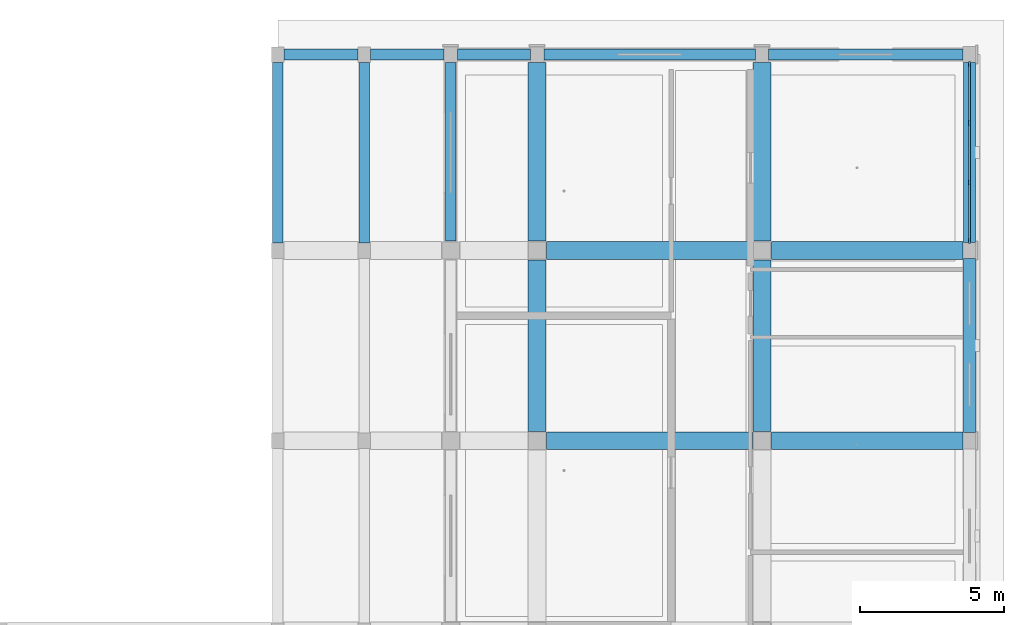
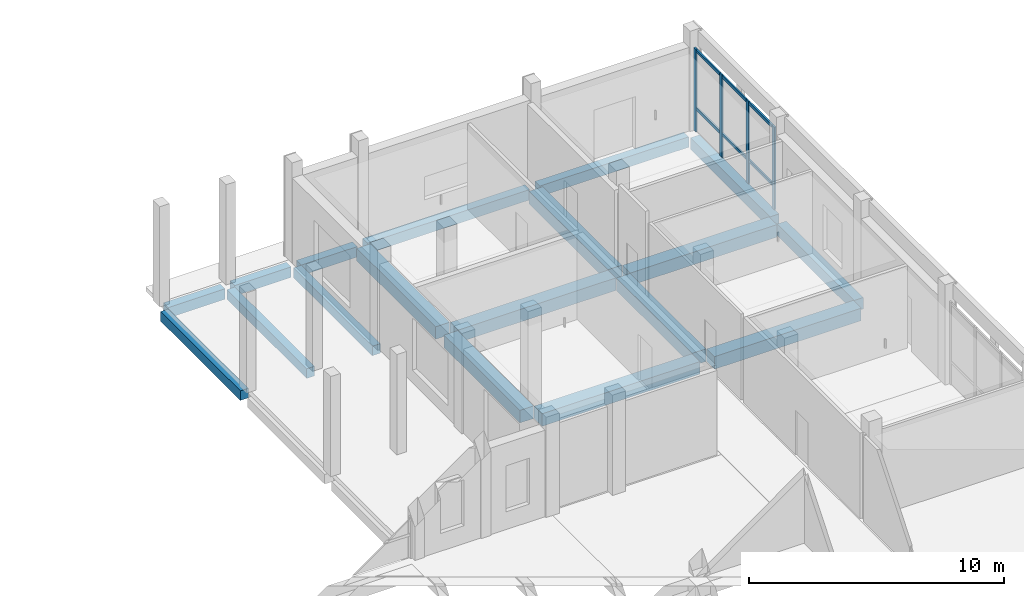
# One storey, part 39 of 88: 18 beams, 6 members, 1 element without a shape of its own.
"""IFC4 building model written with IfcOpenShell, lengths in metres."""

import ifcopenshell
import ifcopenshell.guid

model = None  # the IFC model being written
_history = None  # IfcOwnerHistory: only IFC2X3 demands one
_inside = {}  # id of a spatial element -> (the spatial element, [elements in it])
_under = {}  # id of a project, library or spatial element -> (it, [spatial elements below it])
_declared = {}  # id of a project -> (the project, [libraries it declares])
_typed = {}  # id of a type object -> (the type object, [elements of that type])
_made_of = {}  # id of a material, layer set ... -> (it, [elements and type objects made of it])


def new_model(schema):
    """Start an empty IFC model of exactly this schema.

    Asked for "IFC4X3", IfcOpenShell would pick the latest addendum, in which some entities
    have other attributes; the version numbers below select the first issue.
    IFC2X3 requires an IfcOwnerHistory on every rooted entity: one is made here for all.
    """
    global model, _history
    if schema == "IFC4X3":
        model = ifcopenshell.file(schema_version=(4, 3, 0, 0))
    else:
        model = ifcopenshell.file(schema=schema)
    _inside.clear()
    _under.clear()
    _declared.clear()
    _typed.clear()
    _made_of.clear()
    _history = None
    if model.schema == "IFC2X3":
        org = make("IfcOrganization", Name="unknown")
        user = make(
            "IfcPersonAndOrganization",
            ThePerson=make("IfcPerson", FamilyName="unknown"),
            TheOrganization=org,
        )
        app = make(
            "IfcApplication",
            ApplicationDeveloper=org,
            Version="unknown",
            ApplicationFullName="unknown",
            ApplicationIdentifier="unknown",
        )
        _history = make(
            "IfcOwnerHistory",
            OwningUser=user,
            OwningApplication=app,
            ChangeAction="ADDED",
            CreationDate=0,
        )
    return model


def make(cls, **values):
    """One entity of the class cls with the attributes given. An attribute that is None is left unset."""
    return model.create_entity(
        cls, **{name: value for name, value in values.items() if value is not None}
    )


def rooted(cls, **values):
    """An entity with a GlobalId (a new one), such as an element, a storey or a relation."""
    return make(cls, GlobalId=ifcopenshell.guid.new(), OwnerHistory=_history, **values)


def si_unit(unit_type, name, prefix=None):
    """IfcSIUnit, for example si_unit("LENGTHUNIT", "METRE", prefix="MILLI")."""
    return make("IfcSIUnit", UnitType=unit_type, Prefix=prefix, Name=name)


def derived_unit(unit_type, elements):
    """IfcDerivedUnit: a product of units, each with its exponent."""
    return make(
        "IfcDerivedUnit",
        Elements=[
            make("IfcDerivedUnitElement", Unit=unit, Exponent=power)
            for unit, power in elements
        ],
        UnitType=unit_type,
    )


def assignment(units):
    """IfcUnitAssignment: the units of a project."""
    return None if units is None else make("IfcUnitAssignment", Units=units)


def point(xyz):
    """IfcCartesianPoint."""
    return None if xyz is None else make("IfcCartesianPoint", Coordinates=xyz)


def direction(xyz):
    """IfcDirection."""
    return None if xyz is None else make("IfcDirection", DirectionRatios=xyz)


def frame(location, z_axis=None, x_axis=None):
    """IfcAxis2Placement3D, a coordinate frame: its origin and axes. An axis left out is left unset."""
    return make(
        "IfcAxis2Placement3D",
        Location=point(location),
        Axis=direction(z_axis),
        RefDirection=direction(x_axis),
    )


def frame_2d(location, x_axis=None):
    """IfcAxis2Placement2D, a coordinate frame in the plane: its origin and x axis."""
    return make(
        "IfcAxis2Placement2D", Location=point(location), RefDirection=direction(x_axis)
    )


def origin():
    """The frame at (0, 0, 0) with its axes left unset."""
    return frame((0.0, 0.0, 0.0))


def origin_2d():
    """The frame at (0, 0) in the plane with its x axis left unset."""
    return frame_2d((0.0, 0.0))


def place(relative_to, where):
    """IfcLocalPlacement: puts the frame where relative to a parent placement (None: the world)."""
    return make(
        "IfcLocalPlacement", PlacementRelTo=relative_to, RelativePlacement=where
    )


def context(
    kind, dimensions, precision=None, world=None, true_north=None, identifier=None
):
    """IfcGeometricRepresentationContext, for example the 3D "Model" context."""
    return make(
        "IfcGeometricRepresentationContext",
        ContextIdentifier=identifier,
        ContextType=kind,
        CoordinateSpaceDimension=dimensions,
        Precision=precision,
        WorldCoordinateSystem=world,
        TrueNorth=true_north,
    )


def subcontext(parent, identifier, kind, view, scale=None):
    """IfcGeometricRepresentationSubContext, for example "Body" below "Model"."""
    return make(
        "IfcGeometricRepresentationSubContext",
        ContextIdentifier=identifier,
        ContextType=kind,
        ParentContext=parent,
        TargetScale=scale,
        TargetView=view,
    )


def project(units=None, contexts=None):
    """IfcProject with its units and contexts."""
    return rooted(
        "IfcProject",
        Name="project",
        RepresentationContexts=contexts,
        UnitsInContext=assignment(units),
    )


def spatial(cls, under=None, at=None, **own):
    """A site, building, storey or space (cls), placed at a placement, below another one or the project."""
    s = rooted(cls, ObjectPlacement=at, **own)
    if under is not None:
        _under.setdefault(under.id(), (under, []))[1].append(s)
    return s


def profile(cls, at=None, kind="AREA", **sizes):
    """A parametric profile (cls). Its sizes go by their IFC names, for example OverallWidth=200.0."""
    return make(cls, ProfileType=kind, Position=at, **sizes)


def rectangle(**sizes):
    """IfcRectangleProfileDef."""
    return profile("IfcRectangleProfileDef", **sizes)


def extrude(swept, where, along, depth):
    """IfcExtrudedAreaSolid: the profile swept, set in the frame where, extruded along a direction by depth."""
    return make(
        "IfcExtrudedAreaSolid",
        SweptArea=swept,
        Position=where,
        ExtrudedDirection=direction(along),
        Depth=depth,
    )


def shape(context_of_items, identifier, shape_type, items):
    """IfcShapeRepresentation: the items that make up one representation, for example the "Body"."""
    return make(
        "IfcShapeRepresentation",
        ContextOfItems=context_of_items,
        RepresentationIdentifier=identifier,
        RepresentationType=shape_type,
        Items=items,
    )


def material(Name=None, Category=None):
    """IfcMaterial."""
    return make("IfcMaterial", Name=Name, Category=Category)


def material_profile(
    of_material, cross_section, Name=None, Category=None, Priority=None
):
    """IfcMaterialProfile: a cross section and its material."""
    return make(
        "IfcMaterialProfile",
        Name=Name,
        Material=of_material,
        Profile=cross_section,
        Priority=Priority,
        Category=Category,
    )


def profile_set(profiles, Name=None, composite=None):
    """IfcMaterialProfileSet."""
    return make(
        "IfcMaterialProfileSet",
        Name=Name,
        MaterialProfiles=profiles,
        CompositeProfile=composite,
    )


def made_of(thing, what):
    """Note that an element or type object is made of a material, layer set ...; save() writes the relation."""
    if what is not None:
        _made_of.setdefault(what.id(), (what, []))[1].append(thing)
    return thing


def type_object(cls, material=None, **own):
    """A type object (cls), such as IfcWallType, which elements share."""
    return made_of(rooted(cls, **own), material)


def element(
    cls,
    number,
    at=None,
    inside=None,
    cuts=None,
    type_object=None,
    material=None,
    context=None,
    identifier="Body",
    shape_type=None,
    held_by="IfcProductDefinitionShape",
    body=None,
    shapes=None,
    **own,
):
    """One element of the class cls, such as IfcWall. Its Tag is "e" and its number.

    at: its placement. inside: the storey or other place that contains it. cuts: it is an
    opening in that element (IfcRelVoidsElement). A single representation is given by context,
    identifier, shape_type and body (its items); several are given by shapes. held_by: the class
    of the entity that holds the representations. save() writes the other relations.
    """
    e = rooted(cls, Tag="e%d" % number, ObjectPlacement=at, **own)
    if body is not None:
        shapes = [shape(context, identifier, shape_type, body)]
    if shapes is not None:
        e.Representation = make(held_by, Representations=shapes)
    if inside is not None:
        _inside.setdefault(inside.id(), (inside, []))[1].append(e)
    if cuts is not None:
        rooted(
            "IfcRelVoidsElement", RelatingBuildingElement=cuts, RelatedOpeningElement=e
        )
    if type_object is not None:
        _typed.setdefault(type_object.id(), (type_object, []))[1].append(e)
    return made_of(e, material)


def aggregate(whole, parts):
    """IfcRelAggregates: a whole, such as a stair, and the parts it consists of."""
    return rooted("IfcRelAggregates", RelatingObject=whole, RelatedObjects=parts)


def save(model, path):
    """Write the relations noted so far, then the file.

    IfcRelAggregates (storeys below a building ...), IfcRelContainedInSpatialStructure (elements
    in a storey), IfcRelDefinesByType, IfcRelAssociatesMaterial and IfcRelDeclares: one each for
    every whole, place, type object, material and project.
    """
    for whole, parts in _under.values():
        aggregate(whole, parts)
    for where, things in _inside.values():
        rooted(
            "IfcRelContainedInSpatialStructure",
            RelatedElements=things,
            RelatingStructure=where,
        )
    for kind, things in _typed.values():
        rooted("IfcRelDefinesByType", RelatedObjects=things, RelatingType=kind)
    for what, things in _made_of.values():
        rooted("IfcRelAssociatesMaterial", RelatedObjects=things, RelatingMaterial=what)
    for by, libraries in _declared.values():
        rooted("IfcRelDeclares", RelatingContext=by, RelatedDefinitions=libraries)
    model.write(path)


model = new_model("IFC4")

# Units and contexts
model_context = context("Model", 3, precision=1e-05, world=origin(), true_north=direction((0.0, 1.0)))
body_context = subcontext(model_context, "Body", "Model", "MODEL_VIEW")
ifc_project = project(units=[si_unit("LENGTHUNIT", "METRE"), si_unit("AREAUNIT", "SQUARE_METRE"), si_unit("VOLUMEUNIT", "CUBIC_METRE"), si_unit("PLANEANGLEUNIT", "RADIAN"), si_unit("MASSUNIT", "GRAM", prefix="KILO"), derived_unit("THERMALTRANSMITTANCEUNIT", [(si_unit("POWERUNIT", "WATT"), 1), (si_unit("LENGTHUNIT", "METRE"), -2), (si_unit("THERMODYNAMICTEMPERATUREUNIT", "KELVIN"), -1)])], contexts=[model_context])

# Site, building, storey
site_placement = place(None, origin())
site = spatial("IfcSite", under=ifc_project, at=site_placement, CompositionType="ELEMENT")
building_placement = place(site_placement, origin())
building = spatial("IfcBuilding", under=site, at=building_placement, Name="Braskholm Square Health Centre", CompositionType="ELEMENT")
storey_placement = place(building_placement, origin())
storey = spatial("IfcBuildingStorey", under=building, at=storey_placement, Name="L01", CompositionType="ELEMENT", Elevation=0.0)

# Curtain wall, members
ifc_material_1 = material(Name="Low-E triple insulating glass (VLT 0.64)", Category="glass")
curtain_wall_type = type_object("IfcCurtainWallType", Name="UnitisedCurtainWall6200x4100", PredefinedType="NOTDEFINED", material=ifc_material_1)
curtain_wall_placement = place(storey_placement, origin())
curtain_wall = element("IfcCurtainWall", 1, at=curtain_wall_placement, inside=storey, type_object=curtain_wall_type, Name="East Storefront unitised curtain wall CW-L01-0051", PredefinedType="NOTDEFINED")
ifc_material_2 = material(Name="Architectural bronze anodised aluminium", Category="aluminium")
ifc_material_profile_1 = material_profile(ifc_material_2, rectangle(XDim=0.074951171875, YDim=0.179931640625, at=origin_2d()), Name="ALU-75X180")
ifc_profile_set_1 = profile_set([ifc_material_profile_1], Name="Architectural bronze anodised aluminium")
member_type_1 = type_object("IfcMemberType", Name="CurtainWallMullion75x180", PredefinedType="MULLION", material=ifc_profile_set_1)
member_1_placement = place(storey_placement, frame((163.800048828125, 107.327392578125, 0.0), z_axis=(0.0, 0.0, 1.0), x_axis=(1.0, 0.0, 0.0)))
member_1 = element("IfcMember", 2, at=member_1_placement, type_object=member_type_1, Name="CW-L01-0051 vertical mullion 1", PredefinedType="MULLION", context=body_context, shape_type="SweptSolid", body=[
    extrude(rectangle(XDim=0.074951171875, YDim=0.179931640625, at=origin_2d()), origin(), (0.0, 0.0, 1.0), 3.949951171875),
])
member_2_placement = place(storey_placement, frame((163.800048828125, 109.36328125, 0.0), z_axis=(0.0, 0.0, 1.0), x_axis=(1.0, 0.0, 0.0)))
member_2 = element("IfcMember", 3, at=member_2_placement, type_object=member_type_1, Name="CW-L01-0051 vertical mullion 2", PredefinedType="MULLION", context=body_context, shape_type="SweptSolid", body=[
    extrude(rectangle(XDim=0.074951171875, YDim=0.179931640625, at=origin_2d()), origin(), (0.0, 0.0, 1.0), 3.949951171875),
])
member_3_placement = place(storey_placement, frame((163.800048828125, 111.436767578125, 0.0), z_axis=(0.0, 0.0, 1.0), x_axis=(1.0, 0.0, 0.0)))
member_3 = element("IfcMember", 4, at=member_3_placement, type_object=member_type_1, Name="CW-L01-0051 vertical mullion 3", PredefinedType="MULLION", context=body_context, shape_type="SweptSolid", body=[
    extrude(rectangle(XDim=0.074951171875, YDim=0.179931640625, at=origin_2d()), origin(), (0.0, 0.0, 1.0), 3.949951171875),
])
member_4_placement = place(storey_placement, frame((163.800048828125, 113.47265625, 0.0), z_axis=(0.0, 0.0, 1.0), x_axis=(1.0, 0.0, 0.0)))
member_4 = element("IfcMember", 5, at=member_4_placement, type_object=member_type_1, Name="CW-L01-0051 vertical mullion 4", PredefinedType="MULLION", context=body_context, shape_type="SweptSolid", body=[
    extrude(rectangle(XDim=0.074951171875, YDim=0.179931640625, at=origin_2d()), origin(), (0.0, 0.0, 1.0), 3.949951171875),
])
ifc_material_profile_2 = material_profile(ifc_material_2, rectangle(XDim=0.074951171875, YDim=0.139892578125, at=origin_2d()), Name="ALU-75X140")
ifc_profile_set_2 = profile_set([ifc_material_profile_2], Name="Architectural bronze anodised aluminium")
member_type_2 = type_object("IfcMemberType", Name="CurtainWallTransom75x140", PredefinedType="USERDEFINED", material=ifc_profile_set_2)
member_5_placement = place(storey_placement, frame((163.800048828125, 107.3349609375, 1.1201171875), z_axis=(0.0, 1.0, 0.0), x_axis=(-1.0, 0.0, 0.0)))
member_5 = element("IfcMember", 6, at=member_5_placement, type_object=member_type_2, Name="CW-L01-0051 horizontal transom 1", ObjectType="TRANSOM", PredefinedType="USERDEFINED", context=body_context, shape_type="SweptSolid", body=[
    extrude(rectangle(XDim=0.074951171875, YDim=0.139892578125, at=origin_2d()), origin(), (0.0, 0.0, 1.0), 6.130126953125),
])
member_6_placement = place(storey_placement, frame((163.800048828125, 107.3349609375, 3.8798828125), z_axis=(0.0, 1.0, 0.0), x_axis=(-1.0, 0.0, 0.0)))
member_6 = element("IfcMember", 7, at=member_6_placement, type_object=member_type_2, Name="CW-L01-0051 horizontal transom 2", ObjectType="TRANSOM", PredefinedType="USERDEFINED", context=body_context, shape_type="SweptSolid", body=[
    extrude(rectangle(XDim=0.074951171875, YDim=0.139892578125, at=origin_2d()), origin(), (0.0, 0.0, 1.0), 6.130126953125),
])
aggregate(curtain_wall, [member_1, member_2, member_3, member_4, member_5, member_6])

# Beams
ifc_material_3 = material(Name="Concrete C40/50 (f'c = 40 MPa)", Category="concrete")
ifc_material_profile_3 = material_profile(ifc_material_3, rectangle(XDim=0.6201171875, YDim=0.60009765625, at=origin_2d()), Name="RCB-620X600")
ifc_profile_set_3 = profile_set([ifc_material_profile_3], Name="Concrete C40/50 (f'c = 40 MPa)")
beam_type_1 = type_object("IfcBeamType", Name="PrimarySubstructureBeam620x600", PredefinedType="BEAM", material=ifc_profile_set_3)
beam_1_placement = place(storey_placement, frame((148.800048828125, 100.72509765625, -0.60009765625), z_axis=(0.0, 1.0, 0.0), x_axis=(-1.0, 0.0, 0.0)))
element("IfcBeam", 8, at=beam_1_placement, inside=storey, type_object=beam_type_1, Name="Beam 20/Q-R L01", PredefinedType="BEAM", context=body_context, shape_type="SweptSolid", body=[
    extrude(rectangle(XDim=0.6201171875, YDim=0.60009765625, at=origin_2d()), origin(), (0.0, 0.0, 1.0), 5.949951171875),
])
beam_2_placement = place(storey_placement, frame((148.800048828125, 107.324951171875, -0.60009765625), z_axis=(0.0, 1.0, 0.0), x_axis=(-1.0, 0.0, 0.0)))
element("IfcBeam", 9, at=beam_2_placement, inside=storey, type_object=beam_type_1, Name="Beam 20/R-S L01", PredefinedType="BEAM", context=body_context, shape_type="SweptSolid", body=[
    extrude(rectangle(XDim=0.6201171875, YDim=0.60009765625, at=origin_2d()), origin(), (0.0, 0.0, 1.0), 6.195068359375),
])
beam_3_placement = place(storey_placement, frame((156.60009765625, 100.72509765625, -0.60009765625), z_axis=(0.0, 1.0, 0.0), x_axis=(-1.0, 0.0, 0.0)))
element("IfcBeam", 10, at=beam_3_placement, inside=storey, type_object=beam_type_1, Name="Beam 21/Q-R L01", PredefinedType="BEAM", context=body_context, shape_type="SweptSolid", body=[
    extrude(rectangle(XDim=0.6201171875, YDim=0.60009765625, at=origin_2d()), origin(), (0.0, 0.0, 1.0), 5.949951171875),
])
beam_4_placement = place(storey_placement, frame((156.60009765625, 107.324951171875, -0.60009765625), z_axis=(0.0, 1.0, 0.0), x_axis=(-1.0, 0.0, 0.0)))
element("IfcBeam", 11, at=beam_4_placement, inside=storey, type_object=beam_type_1, Name="Beam 21/R-S L01", PredefinedType="BEAM", context=body_context, shape_type="SweptSolid", body=[
    extrude(rectangle(XDim=0.6201171875, YDim=0.60009765625, at=origin_2d()), origin(), (0.0, 0.0, 1.0), 6.195068359375),
])
beam_5_placement = place(storey_placement, frame((149.125, 100.39990234375, -0.60009765625), z_axis=(1.0, 0.0, 0.0), x_axis=(0.0, 1.0, 0.0)))
element("IfcBeam", 12, at=beam_5_placement, inside=storey, type_object=beam_type_1, Name="Beam 20-21/Q L01", PredefinedType="BEAM", context=body_context, shape_type="SweptSolid", body=[
    extrude(rectangle(XDim=0.6201171875, YDim=0.60009765625, at=origin_2d()), origin(), (0.0, 0.0, 1.0), 7.14990234375),
])
beam_6_placement = place(storey_placement, frame((156.925048828125, 100.39990234375, -0.60009765625), z_axis=(1.0, 0.0, 0.0), x_axis=(0.0, 1.0, 0.0)))
element("IfcBeam", 13, at=beam_6_placement, inside=storey, type_object=beam_type_1, Name="Beam 21-22/Q L01", PredefinedType="BEAM", context=body_context, shape_type="SweptSolid", body=[
    extrude(rectangle(XDim=0.6201171875, YDim=0.60009765625, at=origin_2d()), origin(), (0.0, 0.0, 1.0), 6.64501953125),
])
beam_7_placement = place(storey_placement, frame((149.125, 107.0, -0.60009765625), z_axis=(1.0, 0.0, 0.0), x_axis=(0.0, 1.0, 0.0)))
element("IfcBeam", 14, at=beam_7_placement, inside=storey, type_object=beam_type_1, Name="Beam 20-21/R L01", PredefinedType="BEAM", context=body_context, shape_type="SweptSolid", body=[
    extrude(rectangle(XDim=0.6201171875, YDim=0.60009765625, at=origin_2d()), origin(), (0.0, 0.0, 1.0), 7.14990234375),
])
beam_8_placement = place(storey_placement, frame((156.925048828125, 107.0, -0.60009765625), z_axis=(1.0, 0.0, 0.0), x_axis=(0.0, 1.0, 0.0)))
element("IfcBeam", 15, at=beam_8_placement, inside=storey, type_object=beam_type_1, Name="Beam 21-22/R L01", PredefinedType="BEAM", context=body_context, shape_type="SweptSolid", body=[
    extrude(rectangle(XDim=0.6201171875, YDim=0.60009765625, at=origin_2d()), origin(), (0.0, 0.0, 1.0), 6.64501953125),
])
ifc_material_4 = material(Name="Precast concrete C40/50 architectural white", Category="concrete")
ifc_material_profile_4 = material_profile(ifc_material_4, rectangle(XDim=0.3798828125, YDim=0.5, at=origin_2d()), Name="RCB-380X500")
ifc_profile_set_4 = profile_set([ifc_material_profile_4], Name="Precast concrete C40/50 architectural white")
beam_type_2 = type_object("IfcBeamType", Name="SpandrelPrecastEdge380x500", PredefinedType="SPANDREL", material=ifc_profile_set_4)
beam_9_placement = place(storey_placement, frame((140.02001953125, 113.800048828125, -0.47509765625), z_axis=(1.0, 0.0, 0.0), x_axis=(0.0, 1.0, 0.0)))
element("IfcBeam", 16, at=beam_9_placement, inside=storey, type_object=beam_type_2, Name="Beam 17-18/S L01", PredefinedType="SPANDREL", context=body_context, shape_type="SweptSolid", body=[
    extrude(rectangle(XDim=0.3798828125, YDim=0.5, at=origin_2d()), origin(), (0.0, 0.0, 1.0), 2.56005859375),
])
beam_10_placement = place(storey_placement, frame((143.02001953125, 113.800048828125, -0.47509765625), z_axis=(1.0, 0.0, 0.0), x_axis=(0.0, 1.0, 0.0)))
element("IfcBeam", 17, at=beam_10_placement, inside=storey, type_object=beam_type_2, Name="Beam 18-19/S L01", PredefinedType="SPANDREL", context=body_context, shape_type="SweptSolid", body=[
    extrude(rectangle(XDim=0.3798828125, YDim=0.5, at=origin_2d()), origin(), (0.0, 0.0, 1.0), 2.550048828125),
])
beam_11_placement = place(storey_placement, frame((146.030029296875, 113.800048828125, -0.550048828125), z_axis=(1.0, 0.0, 0.0), x_axis=(0.0, 1.0, 0.0)))
element("IfcBeam", 18, at=beam_11_placement, inside=storey, type_object=beam_type_2, Name="Beam 19-20/S L01", PredefinedType="SPANDREL", context=body_context, shape_type="SweptSolid", body=[
    extrude(rectangle(XDim=0.3798828125, YDim=0.5, at=origin_2d()), origin(), (0.0, 0.0, 1.0), 2.5400390625),
])
beam_12_placement = place(storey_placement, frame((149.030029296875, 113.800048828125, -0.550048828125), z_axis=(1.0, 0.0, 0.0), x_axis=(0.0, 1.0, 0.0)))
element("IfcBeam", 19, at=beam_12_placement, inside=storey, type_object=beam_type_2, Name="Beam 20-21/S L01", PredefinedType="SPANDREL", context=body_context, shape_type="SweptSolid", body=[
    extrude(rectangle(XDim=0.3798828125, YDim=0.5, at=origin_2d()), origin(), (0.0, 0.0, 1.0), 7.340087890625),
])
beam_13_placement = place(storey_placement, frame((156.830078125, 113.800048828125, -0.550048828125), z_axis=(1.0, 0.0, 0.0), x_axis=(0.0, 1.0, 0.0)))
element("IfcBeam", 20, at=beam_13_placement, inside=storey, type_object=beam_type_2, Name="Beam 21-22/S L01", PredefinedType="SPANDREL", context=body_context, shape_type="SweptSolid", body=[
    extrude(rectangle(XDim=0.3798828125, YDim=0.5, at=origin_2d()), origin(), (0.0, 0.0, 1.0), 6.739990234375),
])
ifc_material_profile_5 = material_profile(ifc_material_4, rectangle(XDim=0.419921875, YDim=0.550048828125, at=origin_2d()), Name="RCB-420X550")
ifc_profile_set_5 = profile_set([ifc_material_profile_5], Name="Precast concrete C40/50 architectural white")
beam_type_3 = type_object("IfcBeamType", Name="SpandrelPrecastLedge420x550", PredefinedType="SPANDREL", material=ifc_profile_set_5)
beam_14_placement = place(storey_placement, frame((163.800048828125, 100.679931640625, -0.574951171875), z_axis=(0.0, 1.0, 0.0), x_axis=(-1.0, 0.0, 0.0)))
element("IfcBeam", 21, at=beam_14_placement, inside=storey, type_object=beam_type_3, Name="Beam 22/Q-R L01", PredefinedType="SPANDREL", context=body_context, shape_type="SweptSolid", body=[
    extrude(rectangle(XDim=0.419921875, YDim=0.550048828125, at=origin_2d()), origin(), (0.0, 0.0, 1.0), 6.0400390625),
])
beam_15_placement = place(storey_placement, frame((163.800048828125, 107.280029296875, -0.574951171875), z_axis=(0.0, 1.0, 0.0), x_axis=(-1.0, 0.0, 0.0)))
element("IfcBeam", 22, at=beam_15_placement, inside=storey, type_object=beam_type_3, Name="Beam 22/R-S L01", PredefinedType="SPANDREL", context=body_context, shape_type="SweptSolid", body=[
    extrude(rectangle(XDim=0.419921875, YDim=0.550048828125, at=origin_2d()), origin(), (0.0, 0.0, 1.0), 6.239990234375),
])
ifc_material_profile_6 = material_profile(ifc_material_4, rectangle(XDim=0.360107421875, YDim=0.4599609375, at=origin_2d()), Name="RCB-360X460")
ifc_profile_set_6 = profile_set([ifc_material_profile_6], Name="Precast concrete C40/50 architectural white")
beam_type_4 = type_object("IfcBeamType", Name="SpandrelTerraceEdge360x460", PredefinedType="SPANDREL", material=ifc_profile_set_6)
for number, where, z_axis, x_axis, name in (
    (23, (139.800048828125, 107.27001953125, -0.455078125), (0.0, 1.0, 0.0), (-1.0, 0.0, 0.0), "Beam 17/R-S L01"),
    (24, (142.800048828125, 107.27001953125, -0.455078125), (0.0, 1.0, 0.0), (-1.0, 0.0, 0.0), "Beam 18/R-S L01"),
):
    element("IfcBeam", number, at=place(storey_placement, frame(where, z_axis=z_axis, x_axis=x_axis)), inside=storey, type_object=beam_type_4, Name=name, PredefinedType="SPANDREL", context=body_context, shape_type="SweptSolid", body=[
        extrude(rectangle(XDim=0.360107421875, YDim=0.4599609375, at=origin_2d()), origin(), (0.0, 0.0, 1.0), 6.260009765625),
    ])
beam_16_placement = place(storey_placement, frame((145.800048828125, 107.324951171875, -0.455078125), z_axis=(0.0, 1.0, 0.0), x_axis=(-1.0, 0.0, 0.0)))
element("IfcBeam", 25, at=beam_16_placement, inside=storey, type_object=beam_type_4, Name="Beam 19/R-S L01", PredefinedType="SPANDREL", context=body_context, shape_type="SweptSolid", body=[
    extrude(rectangle(XDim=0.360107421875, YDim=0.4599609375, at=origin_2d()), origin(), (0.0, 0.0, 1.0), 6.195068359375),
])

save(model, "model.ifc")
